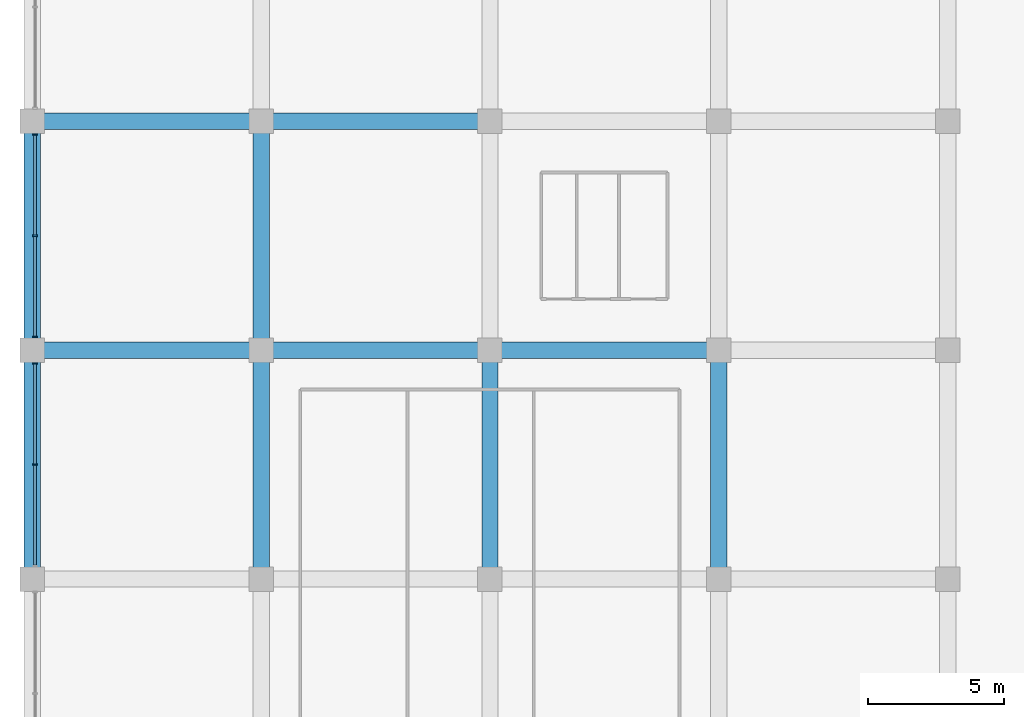
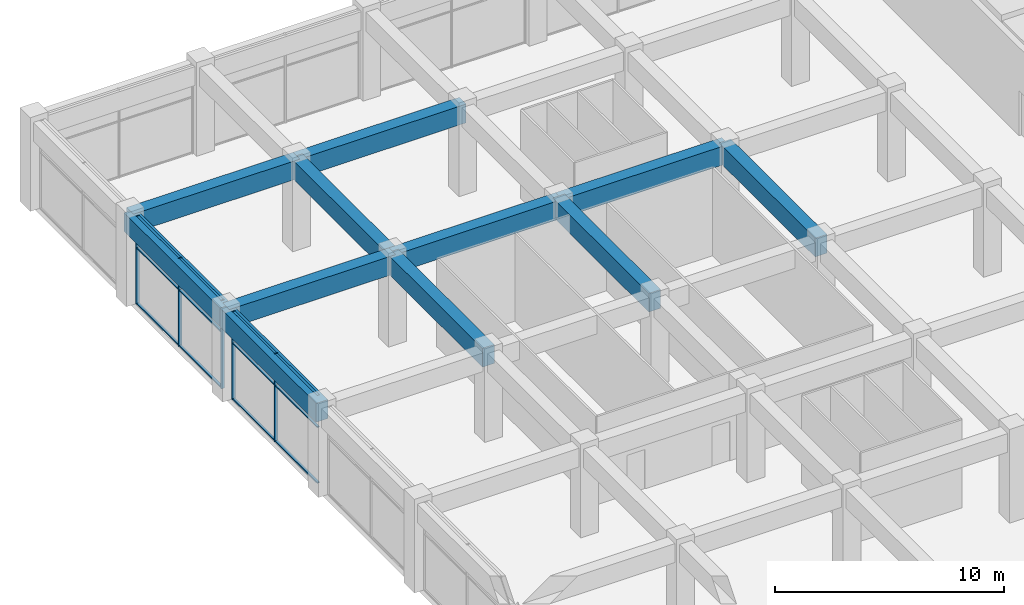
# One storey, part 16 of 36: 17 members, 11 beams, 2 elements without a shape of their own.
"""IFC4 building model written with IfcOpenShell, lengths in metres."""

from ifc_helpers import new_model, si_unit, direction, frame, origin, origin_2d, place, context, subcontext, project, spatial, rectangle, extrude, material, material_profile, profile_set, type_object, element, aggregate, save


model = new_model("IFC4")

# Units and contexts
model_context = context("Model", 3, precision=1e-05, world=origin(), true_north=direction((0.0, 1.0)))
body_context = subcontext(model_context, "Body", "Model", "MODEL_VIEW")
ifc_project = project(units=[si_unit("LENGTHUNIT", "METRE"), si_unit("AREAUNIT", "SQUARE_METRE"), si_unit("VOLUMEUNIT", "CUBIC_METRE"), si_unit("PLANEANGLEUNIT", "RADIAN"), si_unit("MASSUNIT", "GRAM", prefix="KILO")], contexts=[model_context])

# Site, building, storey
site_placement = place(None, origin())
site = spatial("IfcSite", under=ifc_project, at=site_placement, CompositionType="ELEMENT")
building_placement = place(site_placement, origin())
building = spatial("IfcBuilding", under=site, at=building_placement, Name="Impinga Residences", CompositionType="ELEMENT")
storey_placement = place(building_placement, frame((0.0, 0.0, 6.0)))
storey = spatial("IfcBuildingStorey", under=building, at=storey_placement, Name="L01", CompositionType="ELEMENT", Elevation=6.0)

# Curtain wall, members
ifc_material_1 = material(Name="Aluminium stick curtain wall", Category="aluminium")
curtain_wall_type = type_object("IfcCurtainWallType", Name="CW1 podium amenity curtain wall", PredefinedType="USERDEFINED", material=ifc_material_1)
curtain_wall_1_placement = place(storey_placement, origin())
curtain_wall_1 = element("IfcCurtainWall", 1, at=curtain_wall_1_placement, inside=storey, type_object=curtain_wall_type, Name="Curtain wall CW1 L01", ObjectType="STICK CURTAIN WALL", PredefinedType="USERDEFINED")
ifc_material_2 = material(Name="Aluminium mullion", Category="aluminium")
ifc_material_profile_1 = material_profile(ifc_material_2, rectangle(XDim=0.06005859375, YDim=0.179931640625, at=origin_2d()), Name="60x180 mullion")
ifc_profile_set_1 = profile_set([ifc_material_profile_1], Name="Aluminium mullion")
member_type_1 = type_object("IfcMemberType", Name="CW1-M mullion 60x180", PredefinedType="MULLION", material=ifc_profile_set_1)
member_1_placement = place(storey_placement, frame((-50.300048828125, 29.39990234375, 0.0), z_axis=(0.0, 0.0, 1.0), x_axis=(0.0, 1.0, 0.0)))
member_1 = element("IfcMember", 2, at=member_1_placement, type_object=member_type_1, Name="CW1 mullion 2", PredefinedType="MULLION", context=body_context, shape_type="SweptSolid", body=[
    extrude(rectangle(XDim=0.06005859375, YDim=0.179931640625, at=origin_2d()), origin(), (0.0, 0.0, 1.0), 4.699951171875),
])
member_2_placement = place(storey_placement, frame((-50.300048828125, 33.116943359375, 0.0), z_axis=(0.0, 0.0, 1.0), x_axis=(0.0, 1.0, 0.0)))
member_2 = element("IfcMember", 3, at=member_2_placement, type_object=member_type_1, Name="CW1 mullion 3", PredefinedType="MULLION", context=body_context, shape_type="SweptSolid", body=[
    extrude(rectangle(XDim=0.06005859375, YDim=0.179931640625, at=origin_2d()), origin(), (0.0, 0.0, 1.0), 4.699951171875),
])

curtain_wall_2_placement = place(storey_placement, origin())
curtain_wall_2 = element("IfcCurtainWall", 4, at=curtain_wall_2_placement, inside=storey, type_object=curtain_wall_type, Name="Curtain wall CW1 L01", ObjectType="STICK CURTAIN WALL", PredefinedType="USERDEFINED")
member_3_placement = place(storey_placement, frame((-50.300048828125, 34.0830078125, 0.0), z_axis=(0.0, 0.0, 1.0), x_axis=(0.0, 1.0, 0.0)))
member_3 = element("IfcMember", 5, at=member_3_placement, type_object=member_type_1, Name="CW1 mullion 1", PredefinedType="MULLION", context=body_context, shape_type="SweptSolid", body=[
    extrude(rectangle(XDim=0.06005859375, YDim=0.179931640625, at=origin_2d()), origin(), (0.0, 0.0, 1.0), 4.699951171875),
])
member_4_placement = place(storey_placement, frame((-50.300048828125, 37.800048828125, 0.0), z_axis=(0.0, 0.0, 1.0), x_axis=(0.0, 1.0, 0.0)))
member_4 = element("IfcMember", 6, at=member_4_placement, type_object=member_type_1, Name="CW1 mullion 2", PredefinedType="MULLION", context=body_context, shape_type="SweptSolid", body=[
    extrude(rectangle(XDim=0.06005859375, YDim=0.179931640625, at=origin_2d()), origin(), (0.0, 0.0, 1.0), 4.699951171875),
])
member_5_placement = place(storey_placement, frame((-50.300048828125, 41.51708984375, 0.0), z_axis=(0.0, 0.0, 1.0), x_axis=(0.0, 1.0, 0.0)))
member_5 = element("IfcMember", 7, at=member_5_placement, type_object=member_type_1, Name="CW1 mullion 3", PredefinedType="MULLION", context=body_context, shape_type="SweptSolid", body=[
    extrude(rectangle(XDim=0.06005859375, YDim=0.179931640625, at=origin_2d()), origin(), (0.0, 0.0, 1.0), 4.699951171875),
])

# Member
ifc_material_3 = material(Name="Aluminium transom", Category="aluminium")
ifc_material_profile_2 = material_profile(ifc_material_3, rectangle(XDim=0.06005859375, YDim=0.1201171875, at=origin_2d()), Name="60x120 transom")
ifc_profile_set_2 = profile_set([ifc_material_profile_2], Name="Aluminium transom")
member_type_2 = type_object("IfcMemberType", Name="CW1-T transom 60x120", PredefinedType="USERDEFINED", material=ifc_profile_set_2)
member_6_placement = place(storey_placement, frame((-50.300048828125, 25.712890625, 0.030029296875), z_axis=(0.0, 1.0, 0.0), x_axis=(0.0, 0.0, 1.0)))
member_6 = element("IfcMember", 8, at=member_6_placement, type_object=member_type_2, Name="CW1 transom 1.1", ObjectType="TRANSOM", PredefinedType="USERDEFINED", context=body_context, shape_type="SweptSolid", body=[
    extrude(rectangle(XDim=0.06005859375, YDim=0.1201171875, at=origin_2d()), origin(), (0.0, 0.0, 1.0), 3.6572265625),
])

member_7_placement = place(storey_placement, frame((-50.300048828125, 25.712890625, 3.0), z_axis=(0.0, 1.0, 0.0), x_axis=(0.0, 0.0, 1.0)))
member_7 = element("IfcMember", 9, at=member_7_placement, type_object=member_type_2, Name="CW1 transom 1.2", ObjectType="TRANSOM", PredefinedType="USERDEFINED", context=body_context, shape_type="SweptSolid", body=[
    extrude(rectangle(XDim=0.06005859375, YDim=0.1201171875, at=origin_2d()), origin(), (0.0, 0.0, 1.0), 3.6572265625),
])

member_8_placement = place(storey_placement, frame((-50.300048828125, 25.712890625, 4.669921875), z_axis=(0.0, 1.0, 0.0), x_axis=(0.0, 0.0, 1.0)))
member_8 = element("IfcMember", 10, at=member_8_placement, type_object=member_type_2, Name="CW1 transom 1.3", ObjectType="TRANSOM", PredefinedType="USERDEFINED", context=body_context, shape_type="SweptSolid", body=[
    extrude(rectangle(XDim=0.06005859375, YDim=0.1201171875, at=origin_2d()), origin(), (0.0, 0.0, 1.0), 3.6572265625),
])

member_9_placement = place(storey_placement, frame((-50.300048828125, 29.429931640625, 0.030029296875), z_axis=(0.0, 1.0, 0.0), x_axis=(0.0, 0.0, 1.0)))
member_9 = element("IfcMember", 11, at=member_9_placement, type_object=member_type_2, Name="CW1 transom 2.1", ObjectType="TRANSOM", PredefinedType="USERDEFINED", context=body_context, shape_type="SweptSolid", body=[
    extrude(rectangle(XDim=0.06005859375, YDim=0.1201171875, at=origin_2d()), origin(), (0.0, 0.0, 1.0), 3.656982421875),
])

member_10_placement = place(storey_placement, frame((-50.300048828125, 29.429931640625, 3.0), z_axis=(0.0, 1.0, 0.0), x_axis=(0.0, 0.0, 1.0)))
member_10 = element("IfcMember", 12, at=member_10_placement, type_object=member_type_2, Name="CW1 transom 2.2", ObjectType="TRANSOM", PredefinedType="USERDEFINED", context=body_context, shape_type="SweptSolid", body=[
    extrude(rectangle(XDim=0.06005859375, YDim=0.1201171875, at=origin_2d()), origin(), (0.0, 0.0, 1.0), 3.656982421875),
])

member_11_placement = place(storey_placement, frame((-50.300048828125, 29.429931640625, 4.669921875), z_axis=(0.0, 1.0, 0.0), x_axis=(0.0, 0.0, 1.0)))
member_11 = element("IfcMember", 13, at=member_11_placement, type_object=member_type_2, Name="CW1 transom 2.3", ObjectType="TRANSOM", PredefinedType="USERDEFINED", context=body_context, shape_type="SweptSolid", body=[
    extrude(rectangle(XDim=0.06005859375, YDim=0.1201171875, at=origin_2d()), origin(), (0.0, 0.0, 1.0), 3.656982421875),
])

aggregate(curtain_wall_1, [member_1, member_2, member_6, member_7, member_8, member_9, member_10, member_11])

member_12_placement = place(storey_placement, frame((-50.300048828125, 34.113037109375, 0.030029296875), z_axis=(0.0, 1.0, 0.0), x_axis=(0.0, 0.0, 1.0)))
member_12 = element("IfcMember", 14, at=member_12_placement, type_object=member_type_2, Name="CW1 transom 1.1", ObjectType="TRANSOM", PredefinedType="USERDEFINED", context=body_context, shape_type="SweptSolid", body=[
    extrude(rectangle(XDim=0.06005859375, YDim=0.1201171875, at=origin_2d()), origin(), (0.0, 0.0, 1.0), 3.656982421875),
])

member_13_placement = place(storey_placement, frame((-50.300048828125, 34.113037109375, 3.0), z_axis=(0.0, 1.0, 0.0), x_axis=(0.0, 0.0, 1.0)))
member_13 = element("IfcMember", 15, at=member_13_placement, type_object=member_type_2, Name="CW1 transom 1.2", ObjectType="TRANSOM", PredefinedType="USERDEFINED", context=body_context, shape_type="SweptSolid", body=[
    extrude(rectangle(XDim=0.06005859375, YDim=0.1201171875, at=origin_2d()), origin(), (0.0, 0.0, 1.0), 3.656982421875),
])

member_14_placement = place(storey_placement, frame((-50.300048828125, 34.113037109375, 4.669921875), z_axis=(0.0, 1.0, 0.0), x_axis=(0.0, 0.0, 1.0)))
member_14 = element("IfcMember", 16, at=member_14_placement, type_object=member_type_2, Name="CW1 transom 1.3", ObjectType="TRANSOM", PredefinedType="USERDEFINED", context=body_context, shape_type="SweptSolid", body=[
    extrude(rectangle(XDim=0.06005859375, YDim=0.1201171875, at=origin_2d()), origin(), (0.0, 0.0, 1.0), 3.656982421875),
])

member_15_placement = place(storey_placement, frame((-50.300048828125, 37.830078125, 0.030029296875), z_axis=(0.0, 1.0, 0.0), x_axis=(0.0, 0.0, 1.0)))
member_15 = element("IfcMember", 17, at=member_15_placement, type_object=member_type_2, Name="CW1 transom 2.1", ObjectType="TRANSOM", PredefinedType="USERDEFINED", context=body_context, shape_type="SweptSolid", body=[
    extrude(rectangle(XDim=0.06005859375, YDim=0.1201171875, at=origin_2d()), origin(), (0.0, 0.0, 1.0), 3.656982421875),
])

member_16_placement = place(storey_placement, frame((-50.300048828125, 37.830078125, 3.0), z_axis=(0.0, 1.0, 0.0), x_axis=(0.0, 0.0, 1.0)))
member_16 = element("IfcMember", 18, at=member_16_placement, type_object=member_type_2, Name="CW1 transom 2.2", ObjectType="TRANSOM", PredefinedType="USERDEFINED", context=body_context, shape_type="SweptSolid", body=[
    extrude(rectangle(XDim=0.06005859375, YDim=0.1201171875, at=origin_2d()), origin(), (0.0, 0.0, 1.0), 3.656982421875),
])

member_17_placement = place(storey_placement, frame((-50.300048828125, 37.830078125, 4.669921875), z_axis=(0.0, 1.0, 0.0), x_axis=(0.0, 0.0, 1.0)))
member_17 = element("IfcMember", 19, at=member_17_placement, type_object=member_type_2, Name="CW1 transom 2.3", ObjectType="TRANSOM", PredefinedType="USERDEFINED", context=body_context, shape_type="SweptSolid", body=[
    extrude(rectangle(XDim=0.06005859375, YDim=0.1201171875, at=origin_2d()), origin(), (0.0, 0.0, 1.0), 3.656982421875),
])

aggregate(curtain_wall_2, [member_3, member_4, member_5, member_12, member_13, member_14, member_15, member_16, member_17])

# Beams
ifc_material_4 = material(Name="Concrete C60/75", Category="concrete")
ifc_material_profile_3 = material_profile(ifc_material_4, rectangle(XDim=0.60009765625, YDim=1.0, at=origin_2d()), Name="RC 600x1000")
ifc_profile_set_3 = profile_set([ifc_material_profile_3], Name="Concrete C60/75")
beam_type = type_object("IfcBeamType", Name="PB2 600x1000 podium beam", PredefinedType="BEAM", material=ifc_profile_set_3)
for number, where, z_axis, x_axis, name in (
    (20, (-50.39990234375, 33.60009765625, 4.199951171875), (1.0, 0.0, 0.0), (0.0, 1.0, 0.0), "Beam PB2 K/1-2 level L02"),
    (21, (-42.0, 33.60009765625, 4.199951171875), (1.0, 0.0, 0.0), (0.0, 1.0, 0.0), "Beam PB2 K/2-3 level L02"),
):
    element("IfcBeam", number, at=place(storey_placement, frame(where, z_axis=z_axis, x_axis=x_axis)), inside=storey, type_object=beam_type, Name=name, PredefinedType="BEAM", context=body_context, shape_type="SweptSolid", body=[
        extrude(rectangle(XDim=0.60009765625, YDim=1.0, at=origin_2d()), origin(), (0.0, 0.0, 1.0), 8.39990234375),
    ])
beam_1_placement = place(storey_placement, frame((-33.60009765625, 33.60009765625, 4.199951171875), z_axis=(1.0, 0.0, 0.0), x_axis=(0.0, 1.0, 0.0)))
element("IfcBeam", 22, at=beam_1_placement, inside=storey, type_object=beam_type, Name="Beam PB2 K/3-4 level L02", PredefinedType="BEAM", context=body_context, shape_type="SweptSolid", body=[
    extrude(rectangle(XDim=0.60009765625, YDim=1.0, at=origin_2d()), origin(), (0.0, 0.0, 1.0), 8.400146484375),
])
for number, where, z_axis, x_axis, name in (
    (23, (-50.39990234375, 42.0, 4.199951171875), (1.0, 0.0, 0.0), (0.0, 1.0, 0.0), "Beam PB2 L/1-2 level L02"),
    (24, (-42.0, 42.0, 4.199951171875), (1.0, 0.0, 0.0), (0.0, 1.0, 0.0), "Beam PB2 L/2-3 level L02"),
):
    element("IfcBeam", number, at=place(storey_placement, frame(where, z_axis=z_axis, x_axis=x_axis)), inside=storey, type_object=beam_type, Name=name, PredefinedType="BEAM", context=body_context, shape_type="SweptSolid", body=[
        extrude(rectangle(XDim=0.60009765625, YDim=1.0, at=origin_2d()), origin(), (0.0, 0.0, 1.0), 8.39990234375),
    ])
beam_2_placement = place(storey_placement, frame((-50.39990234375, 25.199951171875, 4.199951171875), z_axis=(0.0, 1.0, 0.0), x_axis=(-1.0, 0.0, 0.0)))
element("IfcBeam", 25, at=beam_2_placement, inside=storey, type_object=beam_type, Name="Beam PB2 1/J-K level L02", PredefinedType="BEAM", context=body_context, shape_type="SweptSolid", body=[
    extrude(rectangle(XDim=0.60009765625, YDim=1.0, at=origin_2d()), origin(), (0.0, 0.0, 1.0), 8.400146484375),
])
beam_3_placement = place(storey_placement, frame((-50.39990234375, 33.60009765625, 4.199951171875), z_axis=(0.0, 1.0, 0.0), x_axis=(-1.0, 0.0, 0.0)))
element("IfcBeam", 26, at=beam_3_placement, inside=storey, type_object=beam_type, Name="Beam PB2 1/K-L level L02", PredefinedType="BEAM", context=body_context, shape_type="SweptSolid", body=[
    extrude(rectangle(XDim=0.60009765625, YDim=1.0, at=origin_2d()), origin(), (0.0, 0.0, 1.0), 8.39990234375),
])
beam_4_placement = place(storey_placement, frame((-42.0, 25.199951171875, 4.199951171875), z_axis=(0.0, 1.0, 0.0), x_axis=(-1.0, 0.0, 0.0)))
element("IfcBeam", 27, at=beam_4_placement, inside=storey, type_object=beam_type, Name="Beam PB2 2/J-K level L02", PredefinedType="BEAM", context=body_context, shape_type="SweptSolid", body=[
    extrude(rectangle(XDim=0.60009765625, YDim=1.0, at=origin_2d()), origin(), (0.0, 0.0, 1.0), 8.400146484375),
])
beam_5_placement = place(storey_placement, frame((-42.0, 33.60009765625, 4.199951171875), z_axis=(0.0, 1.0, 0.0), x_axis=(-1.0, 0.0, 0.0)))
element("IfcBeam", 28, at=beam_5_placement, inside=storey, type_object=beam_type, Name="Beam PB2 2/K-L level L02", PredefinedType="BEAM", context=body_context, shape_type="SweptSolid", body=[
    extrude(rectangle(XDim=0.60009765625, YDim=1.0, at=origin_2d()), origin(), (0.0, 0.0, 1.0), 8.39990234375),
])
for number, where, z_axis, x_axis, name in (
    (29, (-33.60009765625, 25.199951171875, 4.199951171875), (0.0, 1.0, 0.0), (-1.0, 0.0, 0.0), "Beam PB2 3/J-K level L02"),
    (30, (-25.199951171875, 25.199951171875, 4.199951171875), (0.0, 1.0, 0.0), (-1.0, 0.0, 0.0), "Beam PB2 4/J-K level L02"),
):
    element("IfcBeam", number, at=place(storey_placement, frame(where, z_axis=z_axis, x_axis=x_axis)), inside=storey, type_object=beam_type, Name=name, PredefinedType="BEAM", context=body_context, shape_type="SweptSolid", body=[
        extrude(rectangle(XDim=0.60009765625, YDim=1.0, at=origin_2d()), origin(), (0.0, 0.0, 1.0), 8.400146484375),
    ])

save(model, "model.ifc")
